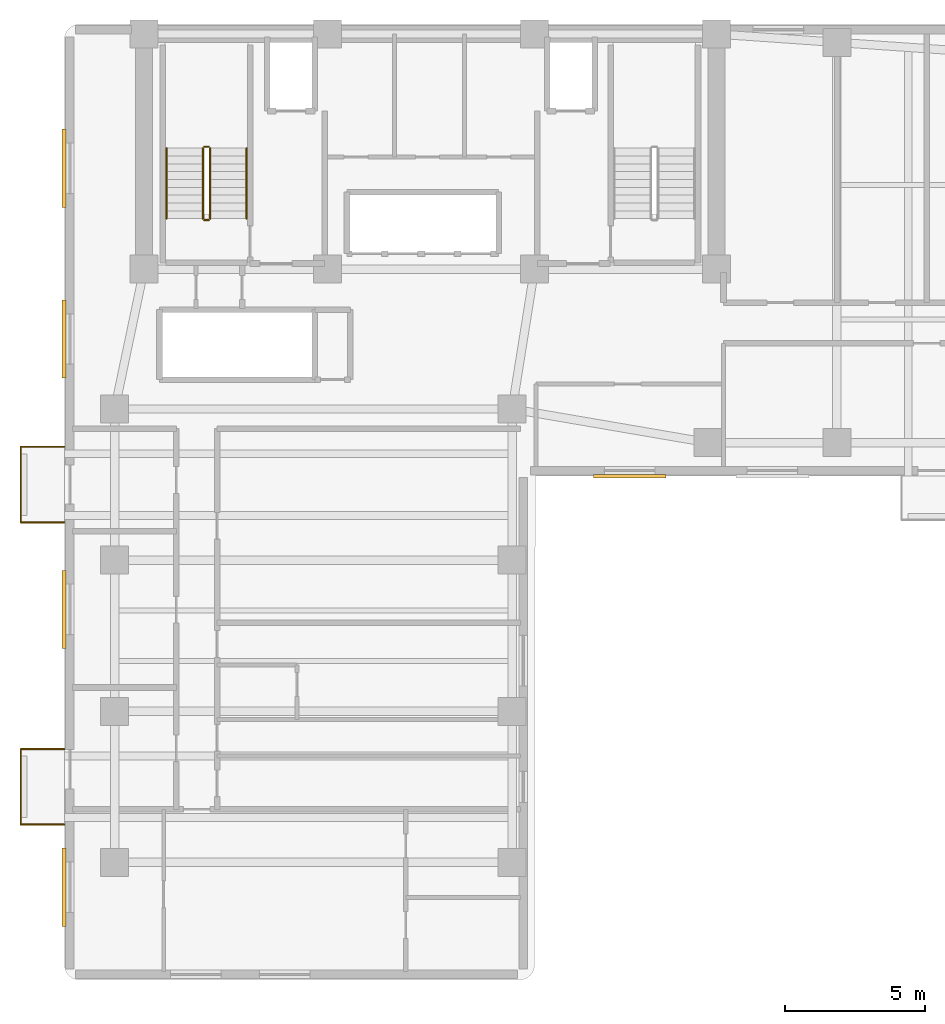
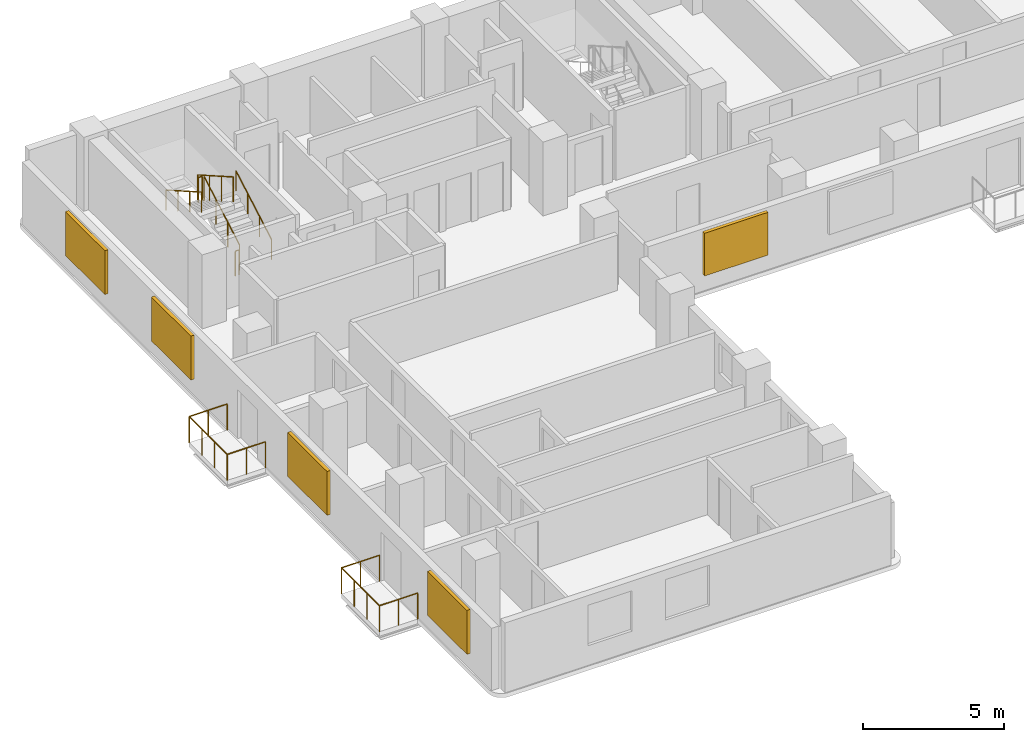
# One storey, part 6 of 7: 12 railings, 5 shading devices.
"""IFC4 building model written with IfcOpenShell, lengths in metres."""

from ifc_helpers import new_model, si_unit, direction, frame, origin, origin_2d, place, context, subcontext, project, spatial, rectangle, circle, extrude, material, layer, layer_set, type_object, element, save


model = new_model("IFC4")

# Units and contexts
model_context = context("Model", 3, precision=1e-05, world=origin(), true_north=direction((0.0, 1.0)))
body_context = subcontext(model_context, "Body", "Model", "MODEL_VIEW")
ifc_project = project(units=[si_unit("LENGTHUNIT", "METRE"), si_unit("AREAUNIT", "SQUARE_METRE"), si_unit("VOLUMEUNIT", "CUBIC_METRE"), si_unit("PLANEANGLEUNIT", "RADIAN"), si_unit("MASSUNIT", "GRAM", prefix="KILO")], contexts=[model_context])

# Site, building, storey
site_placement = place(None, origin())
site = spatial("IfcSite", under=ifc_project, at=site_placement, CompositionType="ELEMENT")
building_placement = place(site_placement, origin())
building = spatial("IfcBuilding", under=site, at=building_placement, Name="Kuzgunbayir Cultural Tower", CompositionType="ELEMENT")
storey_placement = place(building_placement, frame((0.0, 0.0, 113.800048828125)))
storey = spatial("IfcBuildingStorey", under=building, at=storey_placement, Name="L32", CompositionType="ELEMENT", Elevation=113.800048828125)

# Railings
ifc_material_1 = material(Name="Laminated Glass and Stainless Steel", Category="steel")
ifc_layer_1 = layer(ifc_material_1, 0.080078125)
ifc_layer_set_1 = layer_set([ifc_layer_1], Name="Laminated Glass and Stainless Steel")
railing_type_1 = type_object("IfcRailingType", Name="RLG-BAL-115", PredefinedType="BALUSTRADE", material=ifc_layer_set_1)
railing_1_placement = place(storey_placement, frame((3.60009765625, 13.949951171875, 0.0)))
element("IfcRailing", 1, at=railing_1_placement, inside=storey, type_object=railing_type_1, Name="L32 Balcony Guard BAL-L32-WA1 Segment 1", PredefinedType="BALUSTRADE", context=body_context, shape_type="SweptSolid", body=[
    extrude(circle(Radius=0.02392578125, at=origin_2d()), frame((0.0, 0.0, 1.1259765625), z_axis=(-1.0, 0.0, 0.0), x_axis=(0.0, -1.0, 0.0)), (0.0, 0.0, 1.0), 1.56005859375),
    extrude(circle(Radius=0.02099609375, at=origin_2d()), origin(), (0.0, 0.0, 1.0), 1.101806640625),
    extrude(circle(Radius=0.02099609375, at=origin_2d()), frame((-0.780029296875, 0.0, 0.0)), (0.0, 0.0, 1.0), 1.101806640625),
    extrude(circle(Radius=0.02099609375, at=origin_2d()), frame((-1.56005859375, 0.0, 0.0)), (0.0, 0.0, 1.0), 1.101806640625),
])
railing_2_placement = place(storey_placement, frame((2.0400390625, 13.949951171875, 0.0)))
element("IfcRailing", 2, at=railing_2_placement, inside=storey, type_object=railing_type_1, Name="L32 Balcony Guard BAL-L32-WA1 Segment 2", PredefinedType="BALUSTRADE", context=body_context, shape_type="SweptSolid", body=[
    extrude(circle(Radius=0.02392578125, at=origin_2d()), frame((0.0, 0.0, 1.1259765625), z_axis=(0.0, 1.0, 0.0), x_axis=(-1.0, 0.0, 0.0)), (0.0, 0.0, 1.0), 2.699951171875),
    extrude(circle(Radius=0.02099609375, at=origin_2d()), origin(), (0.0, 0.0, 1.0), 1.101806640625),
    extrude(circle(Radius=0.02099609375, at=origin_2d()), frame((0.0, 0.89990234375, 0.0)), (0.0, 0.0, 1.0), 1.101806640625),
    extrude(circle(Radius=0.02099609375, at=origin_2d()), frame((0.0, 1.800048828125, 0.0)), (0.0, 0.0, 1.0), 1.101806640625),
    extrude(circle(Radius=0.02099609375, at=origin_2d()), frame((0.0, 2.699951171875, 0.0)), (0.0, 0.0, 1.0), 1.101806640625),
])
railing_3_placement = place(storey_placement, frame((2.0400390625, 16.64990234375, 0.0)))
element("IfcRailing", 3, at=railing_3_placement, inside=storey, type_object=railing_type_1, Name="L32 Balcony Guard BAL-L32-WA1 Segment 3", PredefinedType="BALUSTRADE", context=body_context, shape_type="SweptSolid", body=[
    extrude(circle(Radius=0.02392578125, at=origin_2d()), frame((0.0, 0.0, 1.1259765625), z_axis=(1.0, 0.0, 0.0), x_axis=(0.0, 1.0, 0.0)), (0.0, 0.0, 1.0), 1.56005859375),
    extrude(circle(Radius=0.02099609375, at=origin_2d()), origin(), (0.0, 0.0, 1.0), 1.101806640625),
    extrude(circle(Radius=0.02099609375, at=origin_2d()), frame((0.780029296875, 0.0, 0.0)), (0.0, 0.0, 1.0), 1.101806640625),
    extrude(circle(Radius=0.02099609375, at=origin_2d()), frame((1.56005859375, 0.0, 0.0)), (0.0, 0.0, 1.0), 1.101806640625),
])
railing_4_placement = place(storey_placement, frame((3.60009765625, 24.75, 0.0)))
element("IfcRailing", 4, at=railing_4_placement, inside=storey, type_object=railing_type_1, Name="L32 Balcony Guard BAL-L32-WA3 Segment 1", PredefinedType="BALUSTRADE", context=body_context, shape_type="SweptSolid", body=[
    extrude(circle(Radius=0.02392578125, at=origin_2d()), frame((0.0, 0.0, 1.1259765625), z_axis=(-1.0, 0.0, 0.0), x_axis=(0.0, -1.0, 0.0)), (0.0, 0.0, 1.0), 1.56005859375),
    extrude(circle(Radius=0.02099609375, at=origin_2d()), origin(), (0.0, 0.0, 1.0), 1.101806640625),
    extrude(circle(Radius=0.02099609375, at=origin_2d()), frame((-0.780029296875, 0.0, 0.0)), (0.0, 0.0, 1.0), 1.101806640625),
    extrude(circle(Radius=0.02099609375, at=origin_2d()), frame((-1.56005859375, 0.0, 0.0)), (0.0, 0.0, 1.0), 1.101806640625),
])
railing_5_placement = place(storey_placement, frame((2.0400390625, 24.75, 0.0)))
element("IfcRailing", 5, at=railing_5_placement, inside=storey, type_object=railing_type_1, Name="L32 Balcony Guard BAL-L32-WA3 Segment 2", PredefinedType="BALUSTRADE", context=body_context, shape_type="SweptSolid", body=[
    extrude(circle(Radius=0.02392578125, at=origin_2d()), frame((0.0, 0.0, 1.1259765625), z_axis=(0.0, 1.0, 0.0), x_axis=(-1.0, 0.0, 0.0)), (0.0, 0.0, 1.0), 2.699951171875),
    extrude(circle(Radius=0.02099609375, at=origin_2d()), origin(), (0.0, 0.0, 1.0), 1.101806640625),
    extrude(circle(Radius=0.02099609375, at=origin_2d()), frame((0.0, 0.89990234375, 0.0)), (0.0, 0.0, 1.0), 1.101806640625),
    extrude(circle(Radius=0.02099609375, at=origin_2d()), frame((0.0, 1.800048828125, 0.0)), (0.0, 0.0, 1.0), 1.101806640625),
    extrude(circle(Radius=0.02099609375, at=origin_2d()), frame((0.0, 2.699951171875, 0.0)), (0.0, 0.0, 1.0), 1.101806640625),
])
railing_6_placement = place(storey_placement, frame((2.0400390625, 27.449951171875, 0.0)))
element("IfcRailing", 6, at=railing_6_placement, inside=storey, type_object=railing_type_1, Name="L32 Balcony Guard BAL-L32-WA3 Segment 3", PredefinedType="BALUSTRADE", context=body_context, shape_type="SweptSolid", body=[
    extrude(circle(Radius=0.02392578125, at=origin_2d()), frame((0.0, 0.0, 1.1259765625), z_axis=(1.0, 0.0, 0.0), x_axis=(0.0, 1.0, 0.0)), (0.0, 0.0, 1.0), 1.56005859375),
    extrude(circle(Radius=0.02099609375, at=origin_2d()), origin(), (0.0, 0.0, 1.0), 1.101806640625),
    extrude(circle(Radius=0.02099609375, at=origin_2d()), frame((0.780029296875, 0.0, 0.0)), (0.0, 0.0, 1.0), 1.101806640625),
    extrude(circle(Radius=0.02099609375, at=origin_2d()), frame((1.56005859375, 0.0, 0.0)), (0.0, 0.0, 1.0), 1.101806640625),
])
ifc_material_2 = material(Name="Brushed Stainless Steel", Category="steel")
ifc_layer_2 = layer(ifc_material_2, 0.050048828125)
ifc_layer_set_2 = layer_set([ifc_layer_2], Name="Brushed Stainless Steel")
railing_type_2 = type_object("IfcRailingType", Name="RLG-STAIR-HANDRAIL", PredefinedType="HANDRAIL", material=ifc_layer_set_2)
railing_7_placement = place(storey_placement, frame((10.110107421875, 35.60009765625, 0.159912109375)))
element("IfcRailing", 7, at=railing_7_placement, inside=storey, type_object=railing_type_2, Name="L32 ST-1 stair handrail 1", PredefinedType="HANDRAIL", context=body_context, shape_type="SweptSolid", body=[
    extrude(circle(Radius=0.02392578125, at=origin_2d()), frame((0.0, 0.0, 0.8759765625), z_axis=(0.0, 0.868253494771, 0.496120820787), x_axis=(-1.0, 0.0, 0.0)), (0.0, 0.0, 1.0), 2.90234375),
    extrude(circle(Radius=0.02099609375, at=origin_2d()), origin(), (0.0, 0.0, 1.0), 0.851806640625),
    extrude(circle(Radius=0.02099609375, at=origin_2d()), frame((0.0, 0.840087890625, 0.47998046875)), (0.0, 0.0, 1.0), 0.851806640625),
    extrude(circle(Radius=0.02099609375, at=origin_2d()), frame((0.0, 1.679931640625, 0.9599609375)), (0.0, 0.0, 1.0), 0.851806640625),
    extrude(circle(Radius=0.02099609375, at=origin_2d()), frame((0.0, 2.52001953125, 1.43994140625)), (0.0, 0.0, 1.0), 0.851806640625),
])
railing_8_placement = place(storey_placement, frame((7.25, 38.1201171875, 1.760009765625)))
element("IfcRailing", 8, at=railing_8_placement, inside=storey, type_object=railing_type_2, Name="L32 ST-1 stair handrail 2", PredefinedType="HANDRAIL", context=body_context, shape_type="SweptSolid", body=[
    extrude(circle(Radius=0.02392578125, at=origin_2d()), frame((0.0, 0.0, 0.8759765625), z_axis=(0.0, -0.868253494771, 0.496120820787), x_axis=(1.0, 0.0, 0.0)), (0.0, 0.0, 1.0), 2.90234375),
    extrude(circle(Radius=0.02099609375, at=origin_2d()), origin(), (0.0, 0.0, 1.0), 0.851806640625),
    extrude(circle(Radius=0.02099609375, at=origin_2d()), frame((0.0, -0.840087890625, 0.47998046875)), (0.0, 0.0, 1.0), 0.851806640625),
    extrude(circle(Radius=0.02099609375, at=origin_2d()), frame((0.0, -1.679931640625, 0.9599609375)), (0.0, 0.0, 1.0), 0.851806640625),
    extrude(circle(Radius=0.02099609375, at=origin_2d()), frame((0.0, -2.52001953125, 1.43994140625)), (0.0, 0.0, 1.0), 0.851806640625),
])
ifc_material_3 = material(Name="Painted Steel Balustrade", Category="steel")
ifc_layer_3 = layer(ifc_material_3, 0.06005859375)
ifc_layer_set_3 = layer_set([ifc_layer_3], Name="Painted Steel Balustrade")
railing_type_3 = type_object("IfcRailingType", Name="RLG-WELL-GUARD", PredefinedType="GUARDRAIL", material=ifc_layer_set_3)
railing_9_placement = place(storey_placement, frame((8.81005859375, 35.60009765625, 0.159912109375)))
element("IfcRailing", 9, at=railing_9_placement, inside=storey, type_object=railing_type_3, Name="L32 ST-1 stair guard 1", PredefinedType="GUARDRAIL", context=body_context, shape_type="SweptSolid", body=[
    extrude(circle(Radius=0.02392578125, at=origin_2d()), frame((0.0, 0.0, 1.076171875), z_axis=(0.0, 0.868253494771, 0.496120820787), x_axis=(-1.0, 0.0, 0.0)), (0.0, 0.0, 1.0), 2.90234375),
    extrude(circle(Radius=0.02099609375, at=origin_2d()), origin(), (0.0, 0.0, 1.0), 1.052001953125),
    extrude(circle(Radius=0.02099609375, at=origin_2d()), frame((0.0, 0.840087890625, 0.47998046875)), (0.0, 0.0, 1.0), 1.052001953125),
    extrude(circle(Radius=0.02099609375, at=origin_2d()), frame((0.0, 1.679931640625, 0.9599609375)), (0.0, 0.0, 1.0), 1.052001953125),
    extrude(circle(Radius=0.02099609375, at=origin_2d()), frame((0.0, 2.52001953125, 1.43994140625)), (0.0, 0.0, 1.0), 1.052001953125),
])
railing_10_placement = place(storey_placement, frame((8.760009765625, 38.169921875, 1.599853515625)))
element("IfcRailing", 10, at=railing_10_placement, inside=storey, type_object=railing_type_3, Name="L32 ST-1 stair guard 2", PredefinedType="GUARDRAIL", context=body_context, shape_type="SweptSolid", body=[
    extrude(circle(Radius=0.02392578125, at=origin_2d()), frame((0.0, 0.0, 1.076171875), z_axis=(-1.0, 0.0, 0.0), x_axis=(0.0, -1.0, 0.0)), (0.0, 0.0, 1.0), 0.159912109375),
    extrude(circle(Radius=0.02099609375, at=origin_2d()), origin(), (0.0, 0.0, 1.0), 1.052001953125),
    extrude(circle(Radius=0.02099609375, at=origin_2d()), frame((-0.159912109375, 0.0, 0.0)), (0.0, 0.0, 1.0), 1.052001953125),
])
railing_11_placement = place(storey_placement, frame((8.550048828125, 38.1201171875, 1.760009765625)))
element("IfcRailing", 11, at=railing_11_placement, inside=storey, type_object=railing_type_3, Name="L32 ST-1 stair guard 3", PredefinedType="GUARDRAIL", context=body_context, shape_type="SweptSolid", body=[
    extrude(circle(Radius=0.02392578125, at=origin_2d()), frame((0.0, 0.0, 1.076171875), z_axis=(0.0, -0.868253494771, 0.496120820787), x_axis=(1.0, 0.0, 0.0)), (0.0, 0.0, 1.0), 2.90234375),
    extrude(circle(Radius=0.02099609375, at=origin_2d()), origin(), (0.0, 0.0, 1.0), 1.052001953125),
    extrude(circle(Radius=0.02099609375, at=origin_2d()), frame((0.0, -0.840087890625, 0.47998046875)), (0.0, 0.0, 1.0), 1.052001953125),
    extrude(circle(Radius=0.02099609375, at=origin_2d()), frame((0.0, -1.679931640625, 0.9599609375)), (0.0, 0.0, 1.0), 1.052001953125),
    extrude(circle(Radius=0.02099609375, at=origin_2d()), frame((0.0, -2.52001953125, 1.43994140625)), (0.0, 0.0, 1.0), 1.052001953125),
])
railing_12_placement = place(storey_placement, frame((8.760009765625, 35.550048828125, 0.0)))
element("IfcRailing", 12, at=railing_12_placement, inside=storey, type_object=railing_type_3, Name="L32 ST-1 stair guard 4", PredefinedType="GUARDRAIL", context=body_context, shape_type="SweptSolid", body=[
    extrude(circle(Radius=0.02392578125, at=origin_2d()), frame((0.0, 0.0, 1.076171875), z_axis=(-1.0, 0.0, 0.0), x_axis=(0.0, -1.0, 0.0)), (0.0, 0.0, 1.0), 0.159912109375),
    extrude(circle(Radius=0.02099609375, at=origin_2d()), origin(), (0.0, 0.0, 1.0), 1.052001953125),
    extrude(circle(Radius=0.02099609375, at=origin_2d()), frame((-0.159912109375, 0.0, 0.0)), (0.0, 0.0, 1.0), 1.052001953125),
])

# Shading devices
ifc_material_4 = material(Name="Perforated Bronze-Anodised Aluminium", Category="aluminium")
shading_device_type = type_object("IfcShadingDeviceType", Name="SHD-SOLAR-BRONZE", PredefinedType="JALOUSIE", material=ifc_material_4)
shading_device_placement = place(storey_placement, frame((23.800048828125, 26.39990234375, 0.724853515625), z_axis=(0.0, 0.0, 1.0), x_axis=(1.0, 0.0, 0.0)))
element("IfcShadingDevice", 13, at=shading_device_placement, inside=storey, type_object=shading_device_type, Name="L32 Solar Screen WBS1", PredefinedType="JALOUSIE", context=body_context, shape_type="SweptSolid", body=[
    extrude(rectangle(XDim=2.60009765625, YDim=0.139892578125, at=origin_2d()), origin(), (0.0, 0.0, 1.0), 1.85009765625),
])
for number, where, z_axis, x_axis, name in (
    (14, (3.590087890625, 21.639892578125, 0.699951171875), (0.0, 0.0, 1.0), (1.0, 0.0, 0.0), "L32 Perforated Bronze Solar Screen WAW2"),
    (15, (3.590087890625, 11.719970703125, 0.699951171875), (0.0, 0.0, 1.0), (1.0, 0.0, 0.0), "L32 Perforated Bronze Solar Screen WAW3"),
    (16, (3.590087890625, 31.300048828125, 0.699951171875), (0.0, 0.0, 1.0), (1.0, 0.0, 0.0), "L32 Perforated Bronze Solar Screen WAW9"),
    (17, (3.590087890625, 37.39990234375, 0.699951171875), (0.0, 0.0, 1.0), (1.0, 0.0, 0.0), "L32 Perforated Bronze Solar Screen WAW10"),
):
    element("IfcShadingDevice", number, at=place(storey_placement, frame(where, z_axis=z_axis, x_axis=x_axis)), inside=storey, type_object=shading_device_type, Name=name, PredefinedType="JALOUSIE", context=body_context, shape_type="SweptSolid", body=[
        extrude(rectangle(XDim=0.139892578125, YDim=2.800048828125, at=origin_2d()), origin(), (0.0, 0.0, 1.0), 1.89990234375),
    ])

save(model, "model.ifc")
